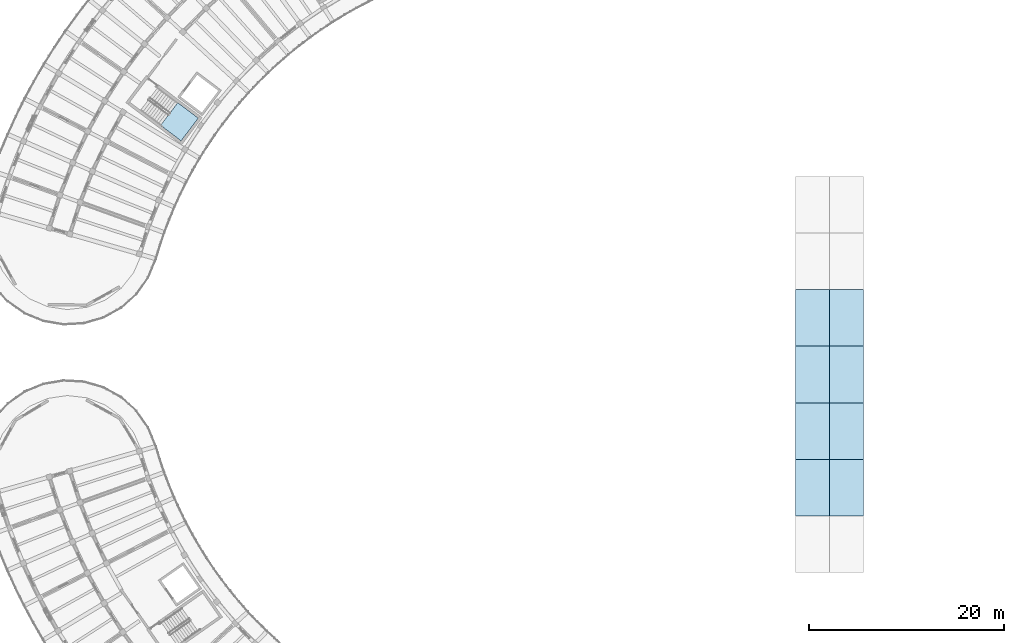
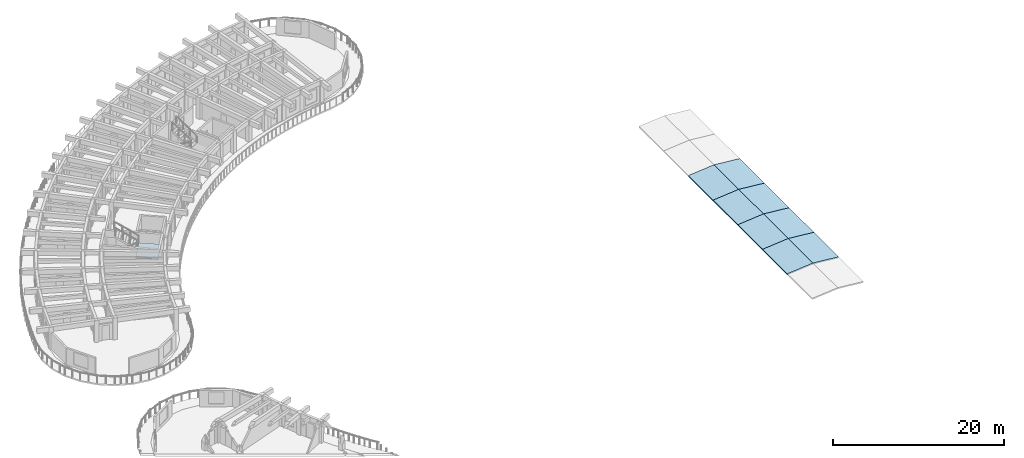
# One storey, part 19 of 69: 9 slabs, 1 element without a shape of its own.
"""IFC4 building model written with IfcOpenShell, lengths in metres."""

from ifc_helpers import new_model, si_unit, direction, frame, origin, place, context, subcontext, project, spatial, polyline, outline, extrude, material, layer, layer_set, type_object, element, aggregate, save


model = new_model("IFC4")

# Units and contexts
model_context = context("Model", 3, precision=1e-05, world=origin(), true_north=direction((0.0, 1.0)))
body_context = subcontext(model_context, "Body", "Model", "MODEL_VIEW")
ifc_project = project(units=[si_unit("LENGTHUNIT", "METRE"), si_unit("AREAUNIT", "SQUARE_METRE"), si_unit("VOLUMEUNIT", "CUBIC_METRE"), si_unit("PLANEANGLEUNIT", "RADIAN"), si_unit("MASSUNIT", "GRAM", prefix="KILO")], contexts=[model_context])

# Site, building, storey
site_placement = place(None, origin())
site = spatial("IfcSite", under=ifc_project, at=site_placement, CompositionType="ELEMENT")
building_placement = place(site_placement, origin())
building = spatial("IfcBuilding", under=site, at=building_placement, Name="Tanwirah Colonnade Gardens", CompositionType="ELEMENT")
storey_placement = place(building_placement, frame((0.0, 0.0, 15.56005859375)))
storey = spatial("IfcBuildingStorey", under=building, at=storey_placement, Name="L04", CompositionType="ELEMENT", Elevation=15.56005859375)

# Slabs
ifc_material_1 = material(Name="Precast concrete C45/55", Category="concrete")
ifc_layer_1 = layer(ifc_material_1, 0.179931640625)
ifc_layer_set_1 = layer_set([ifc_layer_1], Name="Precast concrete C45/55")
slab_type_1 = type_object("IfcSlabType", Name="RF-VAULT-180", PredefinedType="ROOF", material=ifc_layer_set_1)
for number, where, z_axis, x_axis, name in (
    (1, (89.53076171875, 45.60009765625, 0.733642578125), (-0.093674946513, 0.0, 0.995602834666), (0.995602834666, 0.0, 0.093674946513), "Community Hall Barrel Vault Roof Strip 2.5"),
    (2, (93.0, 45.60009765625, 1.06005859375), (0.093674946513, 0.0, 0.995602834666), (0.995602834666, 0.0, -0.093674946513), "Community Hall Barrel Vault Roof Strip 2.6"),
):
    element("IfcSlab", number, at=place(storey_placement, frame(where, z_axis=z_axis, x_axis=x_axis)), inside=storey, type_object=slab_type_1, Name=name, PredefinedType="ROOF", context=body_context, shape_type="SweptSolid", body=[
        extrude(outline(polyline([(0.0, 0.0), (3.484560469750375, 0.0), (3.484560469750375, 5.799804687500001), (0.0, 5.799804687500001), (0.0, 0.0)])), origin(), (0.0, 0.0, -1.0), 0.179931640625),
    ])
for number, where, z_axis, x_axis, name in (
    (3, (89.53076171875, 51.39990234375, 0.733642578125), (-0.093674946513, 0.0, 0.995602834666), (0.995602834666, 0.0, 0.093674946513), "Community Hall Barrel Vault Roof Strip 3.5"),
    (4, (93.0, 51.39990234375, 1.06005859375), (0.093674946513, 0.0, 0.995602834666), (0.995602834666, 0.0, -0.093674946513), "Community Hall Barrel Vault Roof Strip 3.6"),
    (5, (89.53076171875, 57.199951171875, 0.733642578125), (-0.093674946513, 0.0, 0.995602834666), (0.995602834666, 0.0, 0.093674946513), "Community Hall Barrel Vault Roof Strip 4.5"),
    (6, (93.0, 57.199951171875, 1.06005859375), (0.093674946513, 0.0, 0.995602834666), (0.995602834666, 0.0, -0.093674946513), "Community Hall Barrel Vault Roof Strip 4.6"),
    (7, (89.53076171875, 63.0, 0.733642578125), (-0.093674946513, 0.0, 0.995602834666), (0.995602834666, 0.0, 0.093674946513), "Community Hall Barrel Vault Roof Strip 5.5"),
    (8, (93.0, 63.0, 1.06005859375), (0.093674946513, 0.0, 0.995602834666), (0.995602834666, 0.0, -0.093674946513), "Community Hall Barrel Vault Roof Strip 5.6"),
):
    element("IfcSlab", number, at=place(storey_placement, frame(where, z_axis=z_axis, x_axis=x_axis)), inside=storey, type_object=slab_type_1, Name=name, PredefinedType="ROOF", context=body_context, shape_type="SweptSolid", body=[
        extrude(outline(polyline([(0.0, 0.0), (3.484560469750375, 0.0), (3.484560469750375, 5.800048828125), (0.0, 5.800048828125), (0.0, 0.0)])), origin(), (0.0, 0.0, -1.0), 0.179931640625),
    ])

# Stair, slab
ifc_material_2 = material(Name="Precast concrete C40/50", Category="concrete")
stair_type = type_object("IfcStairType", Name="ST-RES168", PredefinedType="HALF_TURN_STAIR", material=ifc_material_2)
stair_placement = place(storey_placement, origin())
stair = element("IfcStair", 9, at=stair_placement, inside=storey, type_object=stair_type, Name="L04 Block A Core 2 Exit Stair", PredefinedType="HALF_TURN_STAIR")
ifc_layer_2 = layer(ifc_material_2, 0.205078125)
ifc_layer_set_2 = layer_set([ifc_layer_2], Name="Precast concrete C40/50")
slab_type_2 = type_object("IfcSlabType", Name="SL-LND-205", PredefinedType="LANDING", material=ifc_layer_set_2)
slab_placement = place(storey_placement, frame((0.0, 0.0, 1.474853515625)))
slab = element("IfcSlab", 10, at=slab_placement, type_object=slab_type_2, Name="ST-A2 landing 1", PredefinedType="LANDING", context=body_context, shape_type="SweptSolid", body=[
    extrude(outline(polyline([(24.44970703125, 85.623046875), (26.553955078125, 84.037353515625), (28.311279296875, 86.369384765625), (26.20703125, 87.955078125), (24.44970703125, 85.623046875)])), origin(), (0.0, 0.0, 1.0), 0.205078125),
])
aggregate(stair, [slab])

save(model, "model.ifc")
